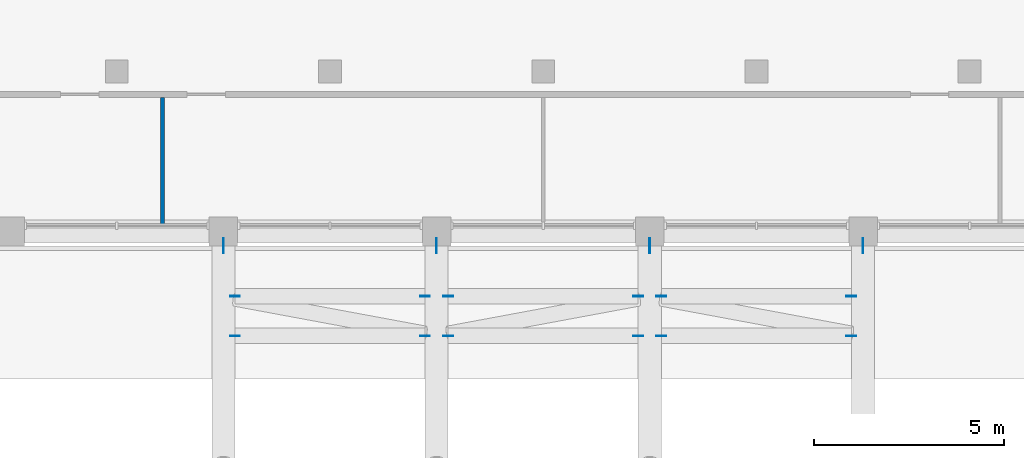
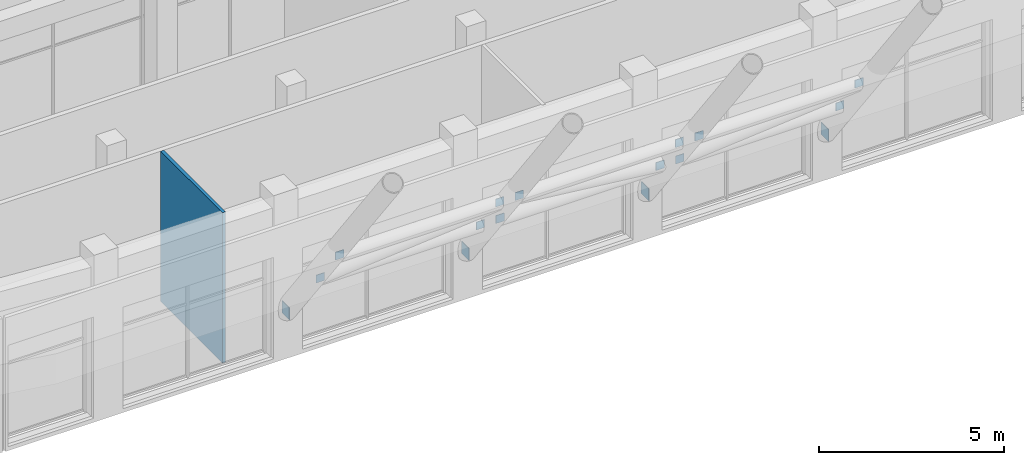
# One storey, part 15 of 24: 16 plates, 1 wall.
"""IFC4 building model written with IfcOpenShell, lengths in metres."""

from ifc_helpers import new_model, si_unit, direction, frame, frame_2d, origin, origin_2d, place, context, subcontext, project, spatial, rectangle, extrude, material, layer, layer_set, type_object, element, save


model = new_model("IFC4")

# Units and contexts
model_context = context("Model", 3, precision=1e-05, world=origin(), true_north=direction((0.0, 1.0)))
body_context = subcontext(model_context, "Body", "Model", "MODEL_VIEW")
ifc_project = project(units=[si_unit("LENGTHUNIT", "METRE"), si_unit("AREAUNIT", "SQUARE_METRE"), si_unit("VOLUMEUNIT", "CUBIC_METRE"), si_unit("PLANEANGLEUNIT", "RADIAN"), si_unit("MASSUNIT", "GRAM", prefix="KILO")], contexts=[model_context])

# Site, building, storey
site_placement = place(None, origin())
site = spatial("IfcSite", under=ifc_project, at=site_placement, CompositionType="ELEMENT")
building_placement = place(site_placement, origin())
building = spatial("IfcBuilding", under=site, at=building_placement, Name="Kiln Ring Residences", CompositionType="ELEMENT")
storey_placement = place(building_placement, frame((0.0, 0.0, 283.699951171875)))
storey = spatial("IfcBuildingStorey", under=building, at=storey_placement, Name="L74", CompositionType="ELEMENT", Elevation=283.699951171875)

# Plates
ifc_material_1 = material(Name="Steel S460", Category="steel")
ifc_layer_1 = layer(ifc_material_1, 0.02001953125)
ifc_layer_set_1 = layer_set([ifc_layer_1], Name="Brace gusset plate 20")
plate_type = type_object("IfcPlateType", Name="Brace gusset plate 20", PredefinedType="SHEET", material=ifc_layer_set_1)
for number, where, z_axis, x_axis, name in (
    (1, (-8.094970703125, -21.30322265625, 3.14111328125), (0.0, 0.0, 1.0), (1.0, 0.0, 0.0), "Brace gusset plate 1"),
    (2, (-3.10498046875, -21.30322265625, 3.14111328125), (0.0, 0.0, 1.0), (1.0, 0.0, 0.0), "Brace gusset plate 2"),
    (3, (-8.094970703125, -22.3427734375, 4.52685546875), (0.0, 0.0, 1.0), (1.0, 0.0, 0.0), "Brace gusset plate 3"),
    (4, (-3.10498046875, -22.3427734375, 4.52685546875), (0.0, 0.0, 1.0), (1.0, 0.0, 0.0), "Brace gusset plate 4"),
    (5, (-2.4951171875, -21.30322265625, 3.14111328125), (0.0, 0.0, 1.0), (1.0, 0.0, 0.0), "Brace gusset plate 5"),
    (6, (2.4951171875, -21.30322265625, 3.14111328125), (0.0, 0.0, 1.0), (1.0, 0.0, 0.0), "Brace gusset plate 6"),
    (7, (-2.4951171875, -22.3427734375, 4.52685546875), (0.0, 0.0, 1.0), (1.0, 0.0, 0.0), "Brace gusset plate 7"),
    (8, (2.4951171875, -22.3427734375, 4.52685546875), (0.0, 0.0, 1.0), (1.0, 0.0, 0.0), "Brace gusset plate 8"),
    (9, (3.10498046875, -21.30322265625, 3.14111328125), (0.0, 0.0, 1.0), (1.0, 0.0, 0.0), "Brace gusset plate 9"),
    (10, (8.094970703125, -21.30322265625, 3.14111328125), (0.0, 0.0, 1.0), (1.0, 0.0, 0.0), "Brace gusset plate 10"),
    (11, (3.10498046875, -22.3427734375, 4.52685546875), (0.0, 0.0, 1.0), (1.0, 0.0, 0.0), "Brace gusset plate 11"),
    (12, (8.094970703125, -22.3427734375, 4.52685546875), (0.0, 0.0, 1.0), (1.0, 0.0, 0.0), "Brace gusset plate 12"),
):
    element("IfcPlate", number, at=place(storey_placement, frame(where, z_axis=z_axis, x_axis=x_axis)), inside=storey, type_object=plate_type, Name=name, PredefinedType="SHEET", context=body_context, shape_type="SweptSolid", body=[
        extrude(rectangle(XDim=0.260009765625, YDim=0.02001953125, at=origin_2d()), origin(), (0.0, 0.0, 1.0), 0.260009765625),
    ])
for number, where, z_axis, x_axis, name in (
    (13, (-8.39990234375, -19.97509765625, 1.300048828125), (0.0, 0.0, 1.0), (1.0, 0.0, 0.0), "Brace gusset plate 13"),
    (14, (-2.800048828125, -19.97509765625, 1.300048828125), (0.0, 0.0, 1.0), (1.0, 0.0, 0.0), "Brace gusset plate 15"),
    (15, (2.800048828125, -19.97509765625, 1.300048828125), (0.0, 0.0, 1.0), (1.0, 0.0, 0.0), "Brace gusset plate 17"),
    (16, (8.39990234375, -19.97509765625, 1.300048828125), (0.0, 0.0, 1.0), (1.0, 0.0, 0.0), "Brace gusset plate 19"),
):
    element("IfcPlate", number, at=place(storey_placement, frame(where, z_axis=z_axis, x_axis=x_axis)), inside=storey, type_object=plate_type, Name=name, PredefinedType="SHEET", context=body_context, shape_type="SweptSolid", body=[
        extrude(rectangle(XDim=0.02001953125, YDim=0.39990234375, at=origin_2d()), origin(), (0.0, 0.0, 1.0), 0.39990234375),
    ])

# Wall
ifc_material_2 = material(Name="Gypsum board on steel studs", Category="steel")
ifc_layer_2 = layer(ifc_material_2, 0.10009765625)
ifc_layer_set_2 = layer_set([ifc_layer_2], Name="PARTITION-100")
wall_type = type_object("IfcWallType", Name="PARTITION-100", PredefinedType="PARTITIONING", material=ifc_layer_set_2)
wall_placement = place(storey_placement, frame((-10.0, -19.416015625, 0.0), z_axis=(0.0, 0.0, 1.0), x_axis=(0.0, 1.0, 0.0)))
element("IfcWall", 17, at=wall_placement, inside=storey, type_object=wall_type, Name="Partition 007", PredefinedType="PARTITIONING", context=body_context, shape_type="SweptSolid", body=[
    extrude(rectangle(XDim=3.341064453125, YDim=0.10009765625, at=frame_2d((1.67041015625, 0.0))), origin(), (0.0, 0.0, 1.0), 4.949951171875),
])

save(model, "model.ifc")
